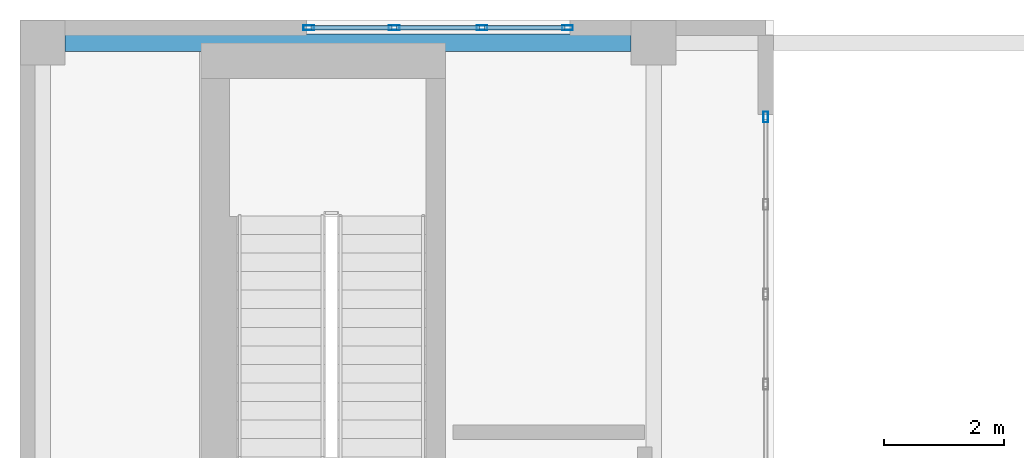
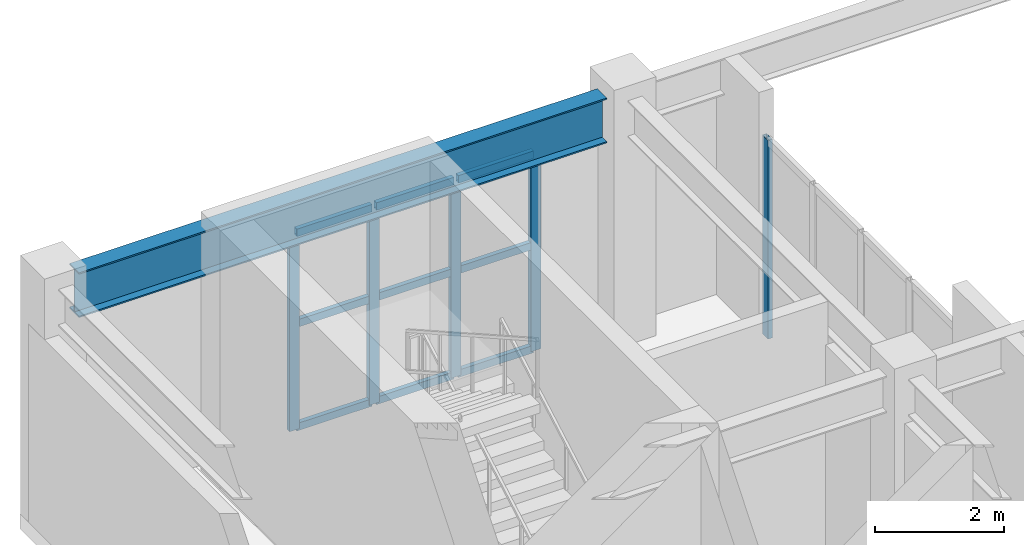
# One storey, part 7 of 11: 14 members, 1 beam, 2 elements without a shape of their own.
"""IFC4 building model written with IfcOpenShell, lengths in metres."""

import ifcopenshell
import ifcopenshell.guid

model = None  # the IFC model being written
_history = None  # IfcOwnerHistory: only IFC2X3 demands one
_inside = {}  # id of a spatial element -> (the spatial element, [elements in it])
_under = {}  # id of a project, library or spatial element -> (it, [spatial elements below it])
_declared = {}  # id of a project -> (the project, [libraries it declares])
_typed = {}  # id of a type object -> (the type object, [elements of that type])
_made_of = {}  # id of a material, layer set ... -> (it, [elements and type objects made of it])


def new_model(schema):
    """Start an empty IFC model of exactly this schema.

    Asked for "IFC4X3", IfcOpenShell would pick the latest addendum, in which some entities
    have other attributes; the version numbers below select the first issue.
    IFC2X3 requires an IfcOwnerHistory on every rooted entity: one is made here for all.
    """
    global model, _history
    if schema == "IFC4X3":
        model = ifcopenshell.file(schema_version=(4, 3, 0, 0))
    else:
        model = ifcopenshell.file(schema=schema)
    _inside.clear()
    _under.clear()
    _declared.clear()
    _typed.clear()
    _made_of.clear()
    _history = None
    if model.schema == "IFC2X3":
        org = make("IfcOrganization", Name="unknown")
        user = make(
            "IfcPersonAndOrganization",
            ThePerson=make("IfcPerson", FamilyName="unknown"),
            TheOrganization=org,
        )
        app = make(
            "IfcApplication",
            ApplicationDeveloper=org,
            Version="unknown",
            ApplicationFullName="unknown",
            ApplicationIdentifier="unknown",
        )
        _history = make(
            "IfcOwnerHistory",
            OwningUser=user,
            OwningApplication=app,
            ChangeAction="ADDED",
            CreationDate=0,
        )
    return model


def make(cls, **values):
    """One entity of the class cls with the attributes given. An attribute that is None is left unset."""
    return model.create_entity(
        cls, **{name: value for name, value in values.items() if value is not None}
    )


def rooted(cls, **values):
    """An entity with a GlobalId (a new one), such as an element, a storey or a relation."""
    return make(cls, GlobalId=ifcopenshell.guid.new(), OwnerHistory=_history, **values)


def si_unit(unit_type, name, prefix=None):
    """IfcSIUnit, for example si_unit("LENGTHUNIT", "METRE", prefix="MILLI")."""
    return make("IfcSIUnit", UnitType=unit_type, Prefix=prefix, Name=name)


def assignment(units):
    """IfcUnitAssignment: the units of a project."""
    return None if units is None else make("IfcUnitAssignment", Units=units)


def point(xyz):
    """IfcCartesianPoint."""
    return None if xyz is None else make("IfcCartesianPoint", Coordinates=xyz)


def direction(xyz):
    """IfcDirection."""
    return None if xyz is None else make("IfcDirection", DirectionRatios=xyz)


def frame(location, z_axis=None, x_axis=None):
    """IfcAxis2Placement3D, a coordinate frame: its origin and axes. An axis left out is left unset."""
    return make(
        "IfcAxis2Placement3D",
        Location=point(location),
        Axis=direction(z_axis),
        RefDirection=direction(x_axis),
    )


def frame_2d(location, x_axis=None):
    """IfcAxis2Placement2D, a coordinate frame in the plane: its origin and x axis."""
    return make(
        "IfcAxis2Placement2D", Location=point(location), RefDirection=direction(x_axis)
    )


def origin():
    """The frame at (0, 0, 0) with its axes left unset."""
    return frame((0.0, 0.0, 0.0))


def origin_2d():
    """The frame at (0, 0) in the plane with its x axis left unset."""
    return frame_2d((0.0, 0.0))


def place(relative_to, where):
    """IfcLocalPlacement: puts the frame where relative to a parent placement (None: the world)."""
    return make(
        "IfcLocalPlacement", PlacementRelTo=relative_to, RelativePlacement=where
    )


def context(
    kind, dimensions, precision=None, world=None, true_north=None, identifier=None
):
    """IfcGeometricRepresentationContext, for example the 3D "Model" context."""
    return make(
        "IfcGeometricRepresentationContext",
        ContextIdentifier=identifier,
        ContextType=kind,
        CoordinateSpaceDimension=dimensions,
        Precision=precision,
        WorldCoordinateSystem=world,
        TrueNorth=true_north,
    )


def subcontext(parent, identifier, kind, view, scale=None):
    """IfcGeometricRepresentationSubContext, for example "Body" below "Model"."""
    return make(
        "IfcGeometricRepresentationSubContext",
        ContextIdentifier=identifier,
        ContextType=kind,
        ParentContext=parent,
        TargetScale=scale,
        TargetView=view,
    )


def project(units=None, contexts=None):
    """IfcProject with its units and contexts."""
    return rooted(
        "IfcProject",
        Name="project",
        RepresentationContexts=contexts,
        UnitsInContext=assignment(units),
    )


def spatial(cls, under=None, at=None, **own):
    """A site, building, storey or space (cls), placed at a placement, below another one or the project."""
    s = rooted(cls, ObjectPlacement=at, **own)
    if under is not None:
        _under.setdefault(under.id(), (under, []))[1].append(s)
    return s


def profile(cls, at=None, kind="AREA", **sizes):
    """A parametric profile (cls). Its sizes go by their IFC names, for example OverallWidth=200.0."""
    return make(cls, ProfileType=kind, Position=at, **sizes)


def hollow_rectangle(**sizes):
    """IfcRectangleHollowProfileDef."""
    return profile("IfcRectangleHollowProfileDef", **sizes)


def i_section(**sizes):
    """IfcIShapeProfileDef."""
    return profile("IfcIShapeProfileDef", **sizes)


def extrude(swept, where, along, depth):
    """IfcExtrudedAreaSolid: the profile swept, set in the frame where, extruded along a direction by depth."""
    return make(
        "IfcExtrudedAreaSolid",
        SweptArea=swept,
        Position=where,
        ExtrudedDirection=direction(along),
        Depth=depth,
    )


def shape(context_of_items, identifier, shape_type, items):
    """IfcShapeRepresentation: the items that make up one representation, for example the "Body"."""
    return make(
        "IfcShapeRepresentation",
        ContextOfItems=context_of_items,
        RepresentationIdentifier=identifier,
        RepresentationType=shape_type,
        Items=items,
    )


def material(Name=None, Category=None):
    """IfcMaterial."""
    return make("IfcMaterial", Name=Name, Category=Category)


def layer(
    of_material, thickness, ventilated=None, Name=None, Category=None, Priority=None
):
    """IfcMaterialLayer: one layer of a wall or slab, of a material (None: an air gap)."""
    return make(
        "IfcMaterialLayer",
        Material=of_material,
        LayerThickness=thickness,
        IsVentilated=ventilated,
        Name=Name,
        Category=Category,
        Priority=Priority,
    )


def layer_set(layers, Name=None):
    """IfcMaterialLayerSet."""
    return make("IfcMaterialLayerSet", MaterialLayers=layers, LayerSetName=Name)


def material_profile(
    of_material, cross_section, Name=None, Category=None, Priority=None
):
    """IfcMaterialProfile: a cross section and its material."""
    return make(
        "IfcMaterialProfile",
        Name=Name,
        Material=of_material,
        Profile=cross_section,
        Priority=Priority,
        Category=Category,
    )


def profile_set(profiles, Name=None, composite=None):
    """IfcMaterialProfileSet."""
    return make(
        "IfcMaterialProfileSet",
        Name=Name,
        MaterialProfiles=profiles,
        CompositeProfile=composite,
    )


def made_of(thing, what):
    """Note that an element or type object is made of a material, layer set ...; save() writes the relation."""
    if what is not None:
        _made_of.setdefault(what.id(), (what, []))[1].append(thing)
    return thing


def type_object(cls, material=None, **own):
    """A type object (cls), such as IfcWallType, which elements share."""
    return made_of(rooted(cls, **own), material)


def element(
    cls,
    number,
    at=None,
    inside=None,
    cuts=None,
    type_object=None,
    material=None,
    context=None,
    identifier="Body",
    shape_type=None,
    held_by="IfcProductDefinitionShape",
    body=None,
    shapes=None,
    **own,
):
    """One element of the class cls, such as IfcWall. Its Tag is "e" and its number.

    at: its placement. inside: the storey or other place that contains it. cuts: it is an
    opening in that element (IfcRelVoidsElement). A single representation is given by context,
    identifier, shape_type and body (its items); several are given by shapes. held_by: the class
    of the entity that holds the representations. save() writes the other relations.
    """
    e = rooted(cls, Tag="e%d" % number, ObjectPlacement=at, **own)
    if body is not None:
        shapes = [shape(context, identifier, shape_type, body)]
    if shapes is not None:
        e.Representation = make(held_by, Representations=shapes)
    if inside is not None:
        _inside.setdefault(inside.id(), (inside, []))[1].append(e)
    if cuts is not None:
        rooted(
            "IfcRelVoidsElement", RelatingBuildingElement=cuts, RelatedOpeningElement=e
        )
    if type_object is not None:
        _typed.setdefault(type_object.id(), (type_object, []))[1].append(e)
    return made_of(e, material)


def aggregate(whole, parts):
    """IfcRelAggregates: a whole, such as a stair, and the parts it consists of."""
    return rooted("IfcRelAggregates", RelatingObject=whole, RelatedObjects=parts)


def save(model, path):
    """Write the relations noted so far, then the file.

    IfcRelAggregates (storeys below a building ...), IfcRelContainedInSpatialStructure (elements
    in a storey), IfcRelDefinesByType, IfcRelAssociatesMaterial and IfcRelDeclares: one each for
    every whole, place, type object, material and project.
    """
    for whole, parts in _under.values():
        aggregate(whole, parts)
    for where, things in _inside.values():
        rooted(
            "IfcRelContainedInSpatialStructure",
            RelatedElements=things,
            RelatingStructure=where,
        )
    for kind, things in _typed.values():
        rooted("IfcRelDefinesByType", RelatedObjects=things, RelatingType=kind)
    for what, things in _made_of.values():
        rooted("IfcRelAssociatesMaterial", RelatedObjects=things, RelatingMaterial=what)
    for by, libraries in _declared.values():
        rooted("IfcRelDeclares", RelatingContext=by, RelatedDefinitions=libraries)
    model.write(path)


model = new_model("IFC4")

# Units and contexts
model_context = context("Model", 3, precision=1e-05, world=origin(), true_north=direction((0.0, 1.0)))
body_context = subcontext(model_context, "Body", "Model", "MODEL_VIEW")
ifc_project = project(units=[si_unit("LENGTHUNIT", "METRE"), si_unit("AREAUNIT", "SQUARE_METRE"), si_unit("VOLUMEUNIT", "CUBIC_METRE"), si_unit("PLANEANGLEUNIT", "RADIAN"), si_unit("MASSUNIT", "GRAM", prefix="KILO")], contexts=[model_context])

# Site, building, storey
site_placement = place(None, origin())
site = spatial("IfcSite", under=ifc_project, at=site_placement, CompositionType="ELEMENT")
building_placement = place(site_placement, origin())
building = spatial("IfcBuilding", under=site, at=building_placement, Name="Solanera Arch Residences", CompositionType="ELEMENT")
storey_placement = place(building_placement, frame((0.0, 0.0, 287.8798828125)))
storey = spatial("IfcBuildingStorey", under=building, at=storey_placement, Name="L82", CompositionType="ELEMENT", Elevation=287.8798828125)

# Curtain wall, members
ifc_material_1 = material(Name="Anodised Aluminium Alloy 6063-T6", Category="aluminium")
ifc_layer_1 = layer(ifc_material_1, 0.199951171875)
ifc_layer_set_1 = layer_set([ifc_layer_1], Name="Anodised Aluminium Alloy 6063-T6")
curtain_wall_type_1 = type_object("IfcCurtainWallType", Name="CW-5 Observatory High-Wind Curtain Wall", PredefinedType="USERDEFINED", material=ifc_layer_set_1)
curtain_wall_1_placement = place(storey_placement, origin())
curtain_wall_1 = element("IfcCurtainWall", 1, at=curtain_wall_1_placement, inside=storey, type_object=curtain_wall_type_1, Name="L82 Crown North Observatory Curtain Wall", ObjectType="CURTAIN_WALL", PredefinedType="USERDEFINED")
ifc_material_2 = material(Name="Anodised Aluminium Alloy 6063-T6", Category="aluminium")
ifc_material_profile_1 = material_profile(ifc_material_2, hollow_rectangle(XDim=0.080078125, YDim=0.179931640625, WallThickness=0.00390625, at=origin_2d()))
ifc_profile_set_1 = profile_set([ifc_material_profile_1], Name="Anodised Aluminium Alloy 6063-T6")
member_type_1 = type_object("IfcMemberType", Name="Curtain Wall Mullion ALU-MUL-80X180", PredefinedType="MULLION", material=ifc_profile_set_1)
member_1_placement = place(storey_placement, frame((15.0400390625, 39.64990234375, 0.0), z_axis=(0.0, 0.0, 1.0), x_axis=(0.0, 1.0, 0.0)))
member_1 = element("IfcMember", 2, at=member_1_placement, type_object=member_type_1, Name="CW-5 mullion 1", PredefinedType="MULLION", context=body_context, shape_type="SweptSolid", body=[
    extrude(hollow_rectangle(XDim=0.080078125, YDim=0.179931640625, WallThickness=0.00390625, at=origin_2d()), origin(), (0.0, 0.0, 1.0), 3.760009765625),
])
member_2_placement = place(storey_placement, frame((16.466552734375, 39.64990234375, 0.0), z_axis=(0.0, 0.0, 1.0), x_axis=(0.0, 1.0, 0.0)))
member_2 = element("IfcMember", 3, at=member_2_placement, type_object=member_type_1, Name="CW-5 mullion 2", PredefinedType="MULLION", context=body_context, shape_type="SweptSolid", body=[
    extrude(hollow_rectangle(XDim=0.080078125, YDim=0.179931640625, WallThickness=0.00390625, at=origin_2d()), origin(), (0.0, 0.0, 1.0), 3.760009765625),
])
member_3_placement = place(storey_placement, frame((17.933349609375, 39.64990234375, 0.0), z_axis=(0.0, 0.0, 1.0), x_axis=(0.0, 1.0, 0.0)))
member_3 = element("IfcMember", 4, at=member_3_placement, type_object=member_type_1, Name="CW-5 mullion 3", PredefinedType="MULLION", context=body_context, shape_type="SweptSolid", body=[
    extrude(hollow_rectangle(XDim=0.080078125, YDim=0.179931640625, WallThickness=0.00390625, at=origin_2d()), origin(), (0.0, 0.0, 1.0), 3.760009765625),
])
member_4_placement = place(storey_placement, frame((19.360107421875, 39.64990234375, 0.0), z_axis=(0.0, 0.0, 1.0), x_axis=(0.0, 1.0, 0.0)))
member_4 = element("IfcMember", 5, at=member_4_placement, type_object=member_type_1, Name="CW-5 mullion 4", PredefinedType="MULLION", context=body_context, shape_type="SweptSolid", body=[
    extrude(hollow_rectangle(XDim=0.080078125, YDim=0.179931640625, WallThickness=0.00390625, at=origin_2d()), origin(), (0.0, 0.0, 1.0), 3.760009765625),
])

# Curtain wall, member
ifc_material_3 = material(Name="Anodised Aluminium Alloy 6063-T6", Category="aluminium")
ifc_layer_2 = layer(ifc_material_3, 0.179931640625)
ifc_layer_set_2 = layer_set([ifc_layer_2], Name="Anodised Aluminium Alloy 6063-T6")
curtain_wall_type_2 = type_object("IfcCurtainWallType", Name="CW-6 Split-Top Crown Lantern Curtain Wall", PredefinedType="USERDEFINED", material=ifc_layer_set_2)
curtain_wall_2_placement = place(storey_placement, origin())
curtain_wall_2 = element("IfcCurtainWall", 6, at=curtain_wall_2_placement, inside=storey, type_object=curtain_wall_type_2, Name="L82 W Crown Cleft Lantern Curtain Wall", ObjectType="CURTAIN_WALL", PredefinedType="USERDEFINED")
member_5_placement = place(storey_placement, frame((22.669921875, 38.159912109375, 0.0), z_axis=(0.0, 0.0, 1.0), x_axis=(-1.0, 0.0, 0.0)))
member_5 = element("IfcMember", 7, at=member_5_placement, type_object=member_type_1, Name="CW-6 mullion 5", PredefinedType="MULLION", context=body_context, shape_type="SweptSolid", body=[
    extrude(hollow_rectangle(XDim=0.080078125, YDim=0.179931640625, WallThickness=0.00390625, at=origin_2d()), origin(), (0.0, 0.0, 1.0), 3.760009765625),
])
aggregate(curtain_wall_2, [member_5])

# Member
ifc_material_4 = material(Name="Anodised Aluminium Alloy 6063-T6", Category="aluminium")
ifc_material_profile_2 = material_profile(ifc_material_4, hollow_rectangle(XDim=0.080078125, YDim=0.139892578125, WallThickness=0.00390625, at=origin_2d()))
ifc_profile_set_2 = profile_set([ifc_material_profile_2], Name="Anodised Aluminium Alloy 6063-T6")
member_type_2 = type_object("IfcMemberType", Name="Curtain Wall Transom ALU-TRN-80X140", PredefinedType="USERDEFINED", material=ifc_profile_set_2)
member_6_placement = place(storey_placement, frame((15.080078125, 39.64990234375, 0.0400390625), z_axis=(1.0, 0.0, 0.0), x_axis=(0.0, 1.0, 0.0)))
member_6 = element("IfcMember", 8, at=member_6_placement, type_object=member_type_2, Name="CW-5 transom 1.1", ObjectType="TRANSOM", PredefinedType="USERDEFINED", context=body_context, shape_type="SweptSolid", body=[
    extrude(hollow_rectangle(XDim=0.080078125, YDim=0.139892578125, WallThickness=0.00390625, at=origin_2d()), origin(), (0.0, 0.0, 1.0), 1.3466796875),
])

member_7_placement = place(storey_placement, frame((15.080078125, 39.64990234375, 2.0), z_axis=(1.0, 0.0, 0.0), x_axis=(0.0, 1.0, 0.0)))
member_7 = element("IfcMember", 9, at=member_7_placement, type_object=member_type_2, Name="CW-5 transom 1.2", ObjectType="TRANSOM", PredefinedType="USERDEFINED", context=body_context, shape_type="SweptSolid", body=[
    extrude(hollow_rectangle(XDim=0.080078125, YDim=0.139892578125, WallThickness=0.00390625, at=origin_2d()), origin(), (0.0, 0.0, 1.0), 1.3466796875),
])

member_8_placement = place(storey_placement, frame((15.080078125, 39.64990234375, 3.72021484375), z_axis=(1.0, 0.0, 0.0), x_axis=(0.0, 1.0, 0.0)))
member_8 = element("IfcMember", 10, at=member_8_placement, type_object=member_type_2, Name="CW-5 transom 1.3", ObjectType="TRANSOM", PredefinedType="USERDEFINED", context=body_context, shape_type="SweptSolid", body=[
    extrude(hollow_rectangle(XDim=0.080078125, YDim=0.139892578125, WallThickness=0.00390625, at=origin_2d()), origin(), (0.0, 0.0, 1.0), 1.3466796875),
])

member_9_placement = place(storey_placement, frame((16.506591796875, 39.64990234375, 0.0400390625), z_axis=(1.0, 0.0, 0.0), x_axis=(0.0, 1.0, 0.0)))
member_9 = element("IfcMember", 11, at=member_9_placement, type_object=member_type_2, Name="CW-5 transom 2.1", ObjectType="TRANSOM", PredefinedType="USERDEFINED", context=body_context, shape_type="SweptSolid", body=[
    extrude(hollow_rectangle(XDim=0.080078125, YDim=0.139892578125, WallThickness=0.00390625, at=origin_2d()), origin(), (0.0, 0.0, 1.0), 1.38671875),
])

member_10_placement = place(storey_placement, frame((16.506591796875, 39.64990234375, 2.0), z_axis=(1.0, 0.0, 0.0), x_axis=(0.0, 1.0, 0.0)))
member_10 = element("IfcMember", 12, at=member_10_placement, type_object=member_type_2, Name="CW-5 transom 2.2", ObjectType="TRANSOM", PredefinedType="USERDEFINED", context=body_context, shape_type="SweptSolid", body=[
    extrude(hollow_rectangle(XDim=0.080078125, YDim=0.139892578125, WallThickness=0.00390625, at=origin_2d()), origin(), (0.0, 0.0, 1.0), 1.38671875),
])

member_11_placement = place(storey_placement, frame((16.506591796875, 39.64990234375, 3.72021484375), z_axis=(1.0, 0.0, 0.0), x_axis=(0.0, 1.0, 0.0)))
member_11 = element("IfcMember", 13, at=member_11_placement, type_object=member_type_2, Name="CW-5 transom 2.3", ObjectType="TRANSOM", PredefinedType="USERDEFINED", context=body_context, shape_type="SweptSolid", body=[
    extrude(hollow_rectangle(XDim=0.080078125, YDim=0.139892578125, WallThickness=0.00390625, at=origin_2d()), origin(), (0.0, 0.0, 1.0), 1.38671875),
])

member_12_placement = place(storey_placement, frame((17.973388671875, 39.64990234375, 0.0400390625), z_axis=(1.0, 0.0, 0.0), x_axis=(0.0, 1.0, 0.0)))
member_12 = element("IfcMember", 14, at=member_12_placement, type_object=member_type_2, Name="CW-5 transom 3.1", ObjectType="TRANSOM", PredefinedType="USERDEFINED", context=body_context, shape_type="SweptSolid", body=[
    extrude(hollow_rectangle(XDim=0.080078125, YDim=0.139892578125, WallThickness=0.00390625, at=origin_2d()), origin(), (0.0, 0.0, 1.0), 1.3466796875),
])

member_13_placement = place(storey_placement, frame((17.973388671875, 39.64990234375, 2.0), z_axis=(1.0, 0.0, 0.0), x_axis=(0.0, 1.0, 0.0)))
member_13 = element("IfcMember", 15, at=member_13_placement, type_object=member_type_2, Name="CW-5 transom 3.2", ObjectType="TRANSOM", PredefinedType="USERDEFINED", context=body_context, shape_type="SweptSolid", body=[
    extrude(hollow_rectangle(XDim=0.080078125, YDim=0.139892578125, WallThickness=0.00390625, at=origin_2d()), origin(), (0.0, 0.0, 1.0), 1.3466796875),
])

member_14_placement = place(storey_placement, frame((17.973388671875, 39.64990234375, 3.72021484375), z_axis=(1.0, 0.0, 0.0), x_axis=(0.0, 1.0, 0.0)))
member_14 = element("IfcMember", 16, at=member_14_placement, type_object=member_type_2, Name="CW-5 transom 3.3", ObjectType="TRANSOM", PredefinedType="USERDEFINED", context=body_context, shape_type="SweptSolid", body=[
    extrude(hollow_rectangle(XDim=0.080078125, YDim=0.139892578125, WallThickness=0.00390625, at=origin_2d()), origin(), (0.0, 0.0, 1.0), 1.3466796875),
])

aggregate(curtain_wall_1, [member_1, member_2, member_3, member_4, member_6, member_7, member_8, member_9, member_10, member_11, member_12, member_13, member_14])

# Beam
ifc_material_5 = material(Name="Steel S355 (ASTM A992 / A572 Grade 50)", Category="steel")
ifc_material_profile_3 = material_profile(ifc_material_5, i_section(OverallWidth=0.2939453125, OverallDepth=0.85107421875, WebThickness=0.01611328125, FlangeThickness=0.02685546875, at=origin_2d()))
ifc_profile_set_3 = profile_set([ifc_material_profile_3], Name="Steel S355 (ASTM A992 / A572 Grade 50)")
beam_type = type_object("IfcBeamType", Name="Primary Beam W840X226", PredefinedType="BEAM", material=ifc_profile_set_3)
beam_placement = place(storey_placement, frame((10.97509765625, 39.39990234375, 4.195068359375), z_axis=(1.0, 0.0, 0.0), x_axis=(0.0, 1.0, 0.0)))
element("IfcBeam", 17, at=beam_placement, inside=storey, type_object=beam_type, Name="BM-L82-CR-WN", PredefinedType="BEAM", context=body_context, shape_type="SweptSolid", body=[
    extrude(i_section(OverallWidth=0.2939453125, OverallDepth=0.85107421875, WebThickness=0.01611328125, FlangeThickness=0.02685546875, at=origin_2d()), origin(), (0.0, 0.0, 1.0), 9.449951171875),
])

save(model, "model.ifc")
